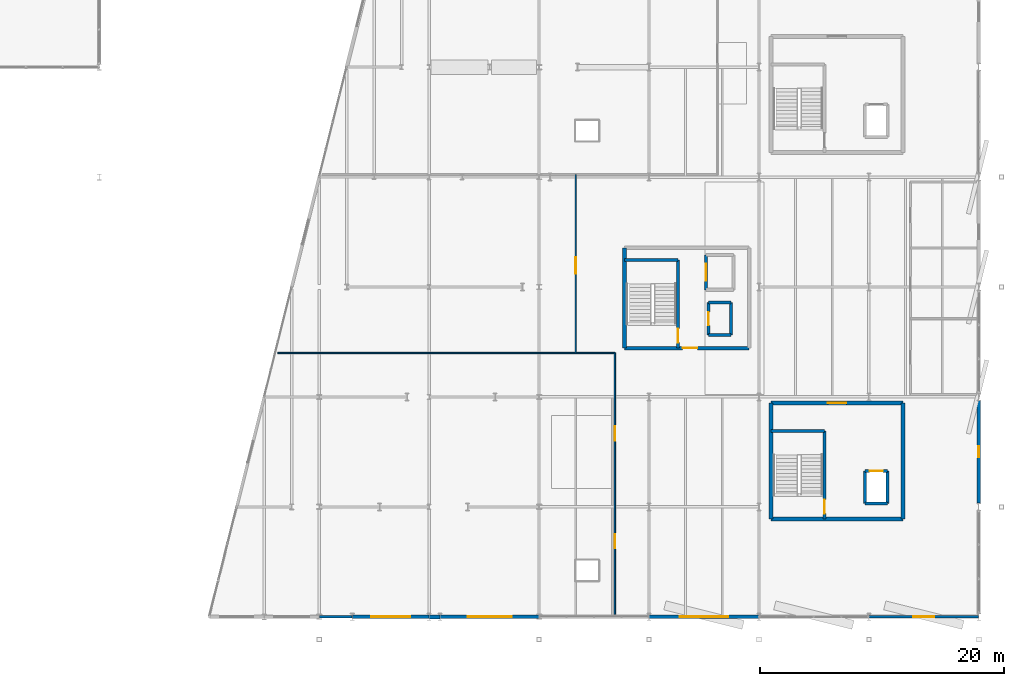
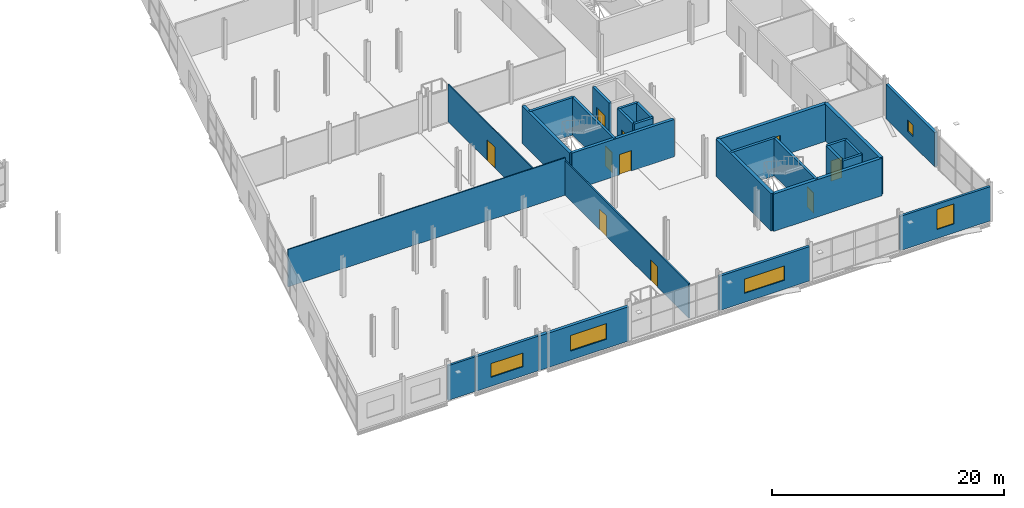
# One storey, part 115 of 132: 29 walls, 10 doors, 5 windows, 15 openings.
"""IFC4 building model written with IfcOpenShell, lengths in metres."""

from ifc_helpers import new_model, si_unit, direction, frame, frame_2d, origin, place, context, subcontext, project, spatial, rectangle, extrude, material, layer, layer_set, type_object, element, fill, save


model = new_model("IFC4")

# Units and contexts
model_context = context("Model", 3, precision=1e-05, world=origin(), true_north=direction((0.0, 1.0)))
body_context = subcontext(model_context, "Body", "Model", "MODEL_VIEW")
ifc_project = project(units=[si_unit("LENGTHUNIT", "METRE"), si_unit("AREAUNIT", "SQUARE_METRE"), si_unit("VOLUMEUNIT", "CUBIC_METRE"), si_unit("PLANEANGLEUNIT", "RADIAN"), si_unit("MASSUNIT", "GRAM", prefix="KILO")], contexts=[model_context])

# Site, building, storey
site_placement = place(None, origin())
site = spatial("IfcSite", under=ifc_project, at=site_placement, CompositionType="ELEMENT")
building_placement = place(site_placement, origin())
building = spatial("IfcBuilding", under=site, at=building_placement, Name="Deido Ridge Mobility Hub", CompositionType="ELEMENT")
storey_placement = place(building_placement, frame((0.0, 0.0, 8.39990234375)))
storey = spatial("IfcBuildingStorey", under=building, at=storey_placement, Name="L02", CompositionType="ELEMENT", Elevation=8.39990234375)

# Wall
ifc_material_1 = material(Name="Powder-coated aluminium cladding EN AW-3003", Category="aluminium")
ifc_layer_1 = layer(ifc_material_1, 0.22509765625, Name="Powder-coated aluminium cladding EN AW-3003")
ifc_layer_set_1 = layer_set([ifc_layer_1], Name="Powder-coated aluminium cladding EN AW-3003")
wall_type_1 = type_object("IfcWallType", Name="WL-EXT-ALU-225", PredefinedType="STANDARD", material=ifc_layer_set_1)
wall_1_placement = place(storey_placement, frame((126.0087890625, 0.0, 0.0), z_axis=(0.0, 0.0, 1.0), x_axis=(1.0, 0.0, 0.0)))
element("IfcWall", 1, at=wall_1_placement, inside=storey, type_object=wall_type_1, Name="Exterior wall EW6", PredefinedType="STANDARD", context=body_context, shape_type="SweptSolid", body=[
    extrude(rectangle(XDim=2.68359375, YDim=0.22509765625, at=frame_2d((1.341796875, 0.0))), origin(), (0.0, 0.0, 1.0), 3.64013671875),
])

# Wall, opening, window
wall_2_placement = place(storey_placement, frame((171.0078125, 0.0, 0.0), z_axis=(0.0, 0.0, 1.0), x_axis=(1.0, 0.0, 0.0)))
wall_2 = element("IfcWall", 2, at=wall_2_placement, inside=storey, type_object=wall_type_1, Name="Exterior wall EW6", PredefinedType="STANDARD", context=body_context, shape_type="SweptSolid", body=[
    extrude(rectangle(XDim=8.984375, YDim=0.22509765625, at=frame_2d((4.4921875, 0.0))), origin(), (0.0, 0.0, 1.0), 3.610107421875),
])
opening_1_placement = place(wall_2_placement, frame((3.642333984375, 0.0, 0.949951171875)))
opening_1 = element("IfcOpeningElement", 3, at=opening_1_placement, cuts=wall_2, Name="Opening W22", PredefinedType="OPENING", context=body_context, shape_type="SweptSolid", body=[
    extrude(rectangle(XDim=1.699951171875, YDim=2.10009765625, at=frame_2d((0.85009765625, 1.050048828125))), frame((0.0, 0.12255859375, 0.0), z_axis=(0.0, -1.0, 0.0), x_axis=(1.0, 0.0, 0.0)), (0.0, 0.0, 1.0), 0.2451171875),
])
ifc_material_2 = material(Name="Laminated solar-control low-E glass", Category="glass")
window_type_1 = type_object("IfcWindowType", Name="WN-ALU-1700X2100", PartitioningType="SINGLE_PANEL", PredefinedType="WINDOW", material=ifc_material_2)
window_1_placement = place(opening_1_placement, origin())
window_1 = element("IfcWindow", 4, at=window_1_placement, inside=storey, type_object=window_type_1, Name="Exterior window W22", OverallHeight=2.10009765625, OverallWidth=1.699951171875, PartitioningType="SINGLE_PANEL", PredefinedType="WINDOW", context=body_context, shape_type="SweptSolid", body=[
    extrude(rectangle(XDim=1.699951171875, YDim=2.10009765625, at=frame_2d((0.85009765625, 1.050048828125))), frame((0.0, 0.030029296875, 0.0), z_axis=(0.0, -1.0, 0.0), x_axis=(1.0, 0.0, 0.0)), (0.0, 0.0, 1.0), 0.06005859375),
])
fill(opening_1, window_1)

ifc_material_3 = material(Name="Concrete blockwork masonry", Category="masonry")
ifc_layer_2 = layer(ifc_material_3, 0.264892578125, Name="Concrete blockwork masonry")
ifc_layer_set_2 = layer_set([ifc_layer_2], Name="Concrete blockwork masonry")
wall_type_2 = type_object("IfcWallType", Name="WL-EXT-BLK-265", PredefinedType="STANDARD", material=ifc_layer_set_2)
wall_3_placement = place(storey_placement, frame((153.0078125, 0.0, 0.0), z_axis=(0.0, 0.0, 1.0), x_axis=(1.0, 0.0, 0.0)))
wall_3 = element("IfcWall", 5, at=wall_3_placement, inside=storey, type_object=wall_type_2, Name="Exterior wall EW3", PredefinedType="STANDARD", context=body_context, shape_type="SweptSolid", body=[
    extrude(rectangle(XDim=8.984375, YDim=0.264892578125, at=frame_2d((4.4921875, 0.0))), origin(), (0.0, 0.0, 1.0), 3.610107421875),
])
opening_2_placement = place(wall_3_placement, frame((2.4921875, 0.0, 0.949951171875)))
opening_2 = element("IfcOpeningElement", 6, at=opening_2_placement, cuts=wall_3, Name="Opening W20", PredefinedType="OPENING", context=body_context, shape_type="SweptSolid", body=[
    extrude(rectangle(XDim=4.0, YDim=1.5, at=frame_2d((2.0, 0.75))), frame((0.0, 0.142578125, 0.0), z_axis=(0.0, -1.0, 0.0), x_axis=(1.0, 0.0, 0.0)), (0.0, 0.0, 1.0), 0.284912109375),
])
window_type_2 = type_object("IfcWindowType", Name="WN-ALU-4000X1500", PartitioningType="DOUBLE_PANEL_VERTICAL", PredefinedType="WINDOW", material=ifc_material_2)
window_2_placement = place(opening_2_placement, origin())
window_2 = element("IfcWindow", 7, at=window_2_placement, inside=storey, type_object=window_type_2, Name="Exterior window W20", OverallHeight=1.5, OverallWidth=4.0, PartitioningType="SINGLE_PANEL", PredefinedType="WINDOW", context=body_context, shape_type="SweptSolid", body=[
    extrude(rectangle(XDim=4.0, YDim=1.5, at=frame_2d((2.0, 0.75))), frame((0.0, 0.030029296875, 0.0), z_axis=(0.0, -1.0, 0.0), x_axis=(1.0, 0.0, 0.0)), (0.0, 0.0, 1.0), 0.06005859375),
])
fill(opening_2, window_2)

ifc_material_4 = material(Name="Fired clay brick masonry", Category="masonry")
ifc_layer_3 = layer(ifc_material_4, 0.31005859375, Name="Fired clay brick masonry")
ifc_layer_set_3 = layer_set([ifc_layer_3], Name="Fired clay brick masonry")
wall_type_3 = type_object("IfcWallType", Name="WL-EXT-BRK-310", PredefinedType="STANDARD", material=ifc_layer_set_3)
wall_4_placement = place(storey_placement, frame((135.90771484375, 0.0, 0.0), z_axis=(0.0, 0.0, 1.0), x_axis=(1.0, 0.0, 0.0)))
wall_4 = element("IfcWall", 8, at=wall_4_placement, inside=storey, type_object=wall_type_3, Name="Exterior wall EW1", PredefinedType="STANDARD", context=body_context, shape_type="SweptSolid", body=[
    extrude(rectangle(XDim=8.08349609375, YDim=0.31005859375, at=frame_2d((4.041748046875, 0.0))), origin(), (0.0, 0.0, 1.0), 3.610107421875),
])
opening_3_placement = place(wall_4_placement, frame((2.24169921875, 0.0, 0.949951171875)))
opening_3 = element("IfcOpeningElement", 9, at=opening_3_placement, cuts=wall_4, Name="Opening W18", PredefinedType="OPENING", context=body_context, shape_type="SweptSolid", body=[
    extrude(rectangle(XDim=3.60009765625, YDim=1.64990234375, at=frame_2d((1.800048828125, 0.824951171875))), frame((0.0, 0.1650390625, 0.0), z_axis=(0.0, -1.0, 0.0), x_axis=(1.0, 0.0, 0.0)), (0.0, 0.0, 1.0), 0.330078125),
])
window_type_3 = type_object("IfcWindowType", Name="WN-ALU-3600X1650", PartitioningType="DOUBLE_PANEL_VERTICAL", PredefinedType="WINDOW", material=ifc_material_2)
window_3_placement = place(opening_3_placement, origin())
window_3 = element("IfcWindow", 10, at=window_3_placement, inside=storey, type_object=window_type_3, Name="Exterior window W18", OverallHeight=1.64990234375, OverallWidth=3.60009765625, PartitioningType="SINGLE_PANEL", PredefinedType="WINDOW", context=body_context, shape_type="SweptSolid", body=[
    extrude(rectangle(XDim=3.60009765625, YDim=1.64990234375, at=frame_2d((1.800048828125, 0.824951171875))), frame((0.0, 0.030029296875, 0.0), z_axis=(0.0, -1.0, 0.0), x_axis=(1.0, 0.0, 0.0)), (0.0, 0.0, 1.0), 0.06005859375),
])
fill(opening_3, window_3)

# Wall
ifc_material_5 = material(Name="Concrete C35/45", Category="concrete")
ifc_layer_4 = layer(ifc_material_5, 0.340087890625, Name="Concrete C35/45")
ifc_layer_set_4 = layer_set([ifc_layer_4], Name="Concrete C35/45")
wall_type_4 = type_object("IfcWallType", Name="WL-EXT-RC-340", PredefinedType="STANDARD", material=ifc_layer_set_4)
wall_5_placement = place(storey_placement, frame((135.0078125, 0.0, 0.0), z_axis=(0.0, 0.0, 1.0), x_axis=(1.0, 0.0, 0.0)))
element("IfcWall", 11, at=wall_5_placement, inside=storey, type_object=wall_type_4, Name="Exterior wall EW5", PredefinedType="STANDARD", context=body_context, shape_type="SweptSolid", body=[
    extrude(rectangle(XDim=0.884521484375, YDim=0.340087890625, at=frame_2d((0.4423828125, 0.0))), origin(), (0.0, 0.0, 1.0), 3.64013671875),
])

# Wall, opening, window
ifc_layer_5 = layer(ifc_material_4, 0.27490234375, Name="Fired clay brick masonry")
ifc_layer_set_5 = layer_set([ifc_layer_5], Name="Fired clay brick masonry")
wall_type_5 = type_object("IfcWallType", Name="WL-PLG-BRK-275", PredefinedType="POLYGONAL", material=ifc_layer_set_5)
wall_6_placement = place(storey_placement, frame((128.707763671875, 0.0, 0.0), z_axis=(0.0, 0.0, 1.0), x_axis=(1.0, 0.0, 0.0)))
wall_6 = element("IfcWall", 12, at=wall_6_placement, inside=storey, type_object=wall_type_5, Name="Exterior wall PGW1", PredefinedType="POLYGONAL", context=body_context, shape_type="SweptSolid", body=[
    extrude(rectangle(XDim=6.284423828125, YDim=0.27490234375, at=frame_2d((3.14208984375, 0.0))), origin(), (0.0, 0.0, 1.0), 3.64013671875),
])
opening_4_placement = place(wall_6_placement, frame((1.542236328125, 0.0, 0.949951171875)))
opening_4 = element("IfcOpeningElement", 13, at=opening_4_placement, cuts=wall_6, Name="Opening W16", PredefinedType="OPENING", context=body_context, shape_type="SweptSolid", body=[
    extrude(rectangle(XDim=3.199951171875, YDim=1.449951171875, at=frame_2d((1.60009765625, 0.72509765625))), frame((0.0, 0.1474609375, 0.0), z_axis=(0.0, -1.0, 0.0), x_axis=(1.0, 0.0, 0.0)), (0.0, 0.0, 1.0), 0.294921875),
])
window_type_4 = type_object("IfcWindowType", Name="WN-ALU-3200X1450", PartitioningType="DOUBLE_PANEL_VERTICAL", PredefinedType="WINDOW", material=ifc_material_2)
window_4_placement = place(opening_4_placement, origin())
window_4 = element("IfcWindow", 14, at=window_4_placement, inside=storey, type_object=window_type_4, Name="Exterior window W16", OverallHeight=1.449951171875, OverallWidth=3.199951171875, PartitioningType="SINGLE_PANEL", PredefinedType="WINDOW", context=body_context, shape_type="SweptSolid", body=[
    extrude(rectangle(XDim=3.199951171875, YDim=1.449951171875, at=frame_2d((1.60009765625, 0.72509765625))), frame((0.0, 0.030029296875, 0.0), z_axis=(0.0, -1.0, 0.0), x_axis=(1.0, 0.0, 0.0)), (0.0, 0.0, 1.0), 0.06005859375),
])
fill(opening_4, window_4)

wall_7_placement = place(storey_placement, frame((180.0, 9.300048828125, 0.0), z_axis=(0.0, 0.0, 1.0), x_axis=(0.0, 1.0, 0.0)))
wall_7 = element("IfcWall", 15, at=wall_7_placement, inside=storey, type_object=wall_type_5, Name="Exterior wall PGW1", PredefinedType="POLYGONAL", context=body_context, shape_type="SweptSolid", body=[
    extrude(rectangle(XDim=8.39990234375, YDim=0.27490234375, at=frame_2d((4.199951171875, 0.0))), origin(), (0.0, 0.0, 1.0), 3.610107421875),
])
opening_5_placement = place(wall_7_placement, frame((3.75, 0.0, 0.949951171875)))
opening_5 = element("IfcOpeningElement", 16, at=opening_5_placement, cuts=wall_7, Name="Opening W1", PredefinedType="OPENING", context=body_context, shape_type="SweptSolid", body=[
    extrude(rectangle(XDim=0.89990234375, YDim=1.199951171875, at=frame_2d((0.449951171875, 0.60009765625))), frame((0.0, 0.1474609375, 0.0), z_axis=(0.0, -1.0, 0.0), x_axis=(1.0, 0.0, 0.0)), (0.0, 0.0, 1.0), 0.294921875),
])
window_type_5 = type_object("IfcWindowType", Name="WN-ALU-900X1200", PartitioningType="SINGLE_PANEL", PredefinedType="WINDOW", material=ifc_material_2)
window_5_placement = place(opening_5_placement, origin())
window_5 = element("IfcWindow", 17, at=window_5_placement, inside=storey, type_object=window_type_5, Name="Exterior window W1", OverallHeight=1.199951171875, OverallWidth=0.89990234375, PartitioningType="SINGLE_PANEL", PredefinedType="WINDOW", context=body_context, shape_type="SweptSolid", body=[
    extrude(rectangle(XDim=0.89990234375, YDim=1.199951171875, at=frame_2d((0.449951171875, 0.60009765625))), frame((0.0, 0.030029296875, 0.0), z_axis=(0.0, -1.0, 0.0), x_axis=(1.0, 0.0, 0.0)), (0.0, 0.0, 1.0), 0.06005859375),
])
fill(opening_5, window_5)

# Wall
ifc_layer_6 = layer(ifc_material_3, 0.10009765625, Name="Concrete blockwork masonry")
ifc_layer_set_6 = layer_set([ifc_layer_6], Name="Concrete blockwork masonry")
wall_type_6 = type_object("IfcWallType", Name="WL-PRT-BLK-100", PredefinedType="PARTITIONING", material=ifc_layer_set_6)
wall_8_placement = place(storey_placement, frame((122.60009765625, 21.60009765625, 0.0), z_axis=(0.0, 0.0, 1.0), x_axis=(1.0, 0.0, 0.0)))
element("IfcWall", 18, at=wall_8_placement, inside=storey, type_object=wall_type_6, Name="V6 south-central cross wall (L02)", PredefinedType="PARTITIONING", context=body_context, shape_type="SweptSolid", body=[
    extrude(rectangle(XDim=27.599853515625, YDim=0.10009765625, at=frame_2d((13.7998046875, 0.0))), origin(), (0.0, 0.0, 1.0), 3.93505859375),
])

# Wall, opening, door
ifc_layer_7 = layer(ifc_material_3, 0.110107421875, Name="Concrete blockwork masonry")
ifc_layer_set_7 = layer_set([ifc_layer_7], Name="Concrete blockwork masonry")
wall_type_7 = type_object("IfcWallType", Name="WL-PRT-BLK-110", PredefinedType="PARTITIONING", material=ifc_layer_set_7)
wall_9_placement = place(storey_placement, frame((147.0, 21.60009765625, 0.0), z_axis=(0.0, 0.0, 1.0), x_axis=(0.0, 1.0, 0.0)))
wall_9 = element("IfcWall", 19, at=wall_9_placement, inside=storey, type_object=wall_type_7, Name="V6 central room wall (L02)", PredefinedType="PARTITIONING", context=body_context, shape_type="SweptSolid", body=[
    extrude(rectangle(XDim=14.599853515625, YDim=0.110107421875, at=frame_2d((7.2998046875, 0.0))), origin(), (0.0, 0.0, 1.0), 3.93505859375),
])
opening_6_placement = place(wall_9_placement, frame((6.5, 0.0, 0.0)))
opening_6 = element("IfcOpeningElement", 20, at=opening_6_placement, cuts=wall_9, Name="Opening DR-L02-162", PredefinedType="OPENING", context=body_context, shape_type="SweptSolid", body=[
    extrude(rectangle(XDim=1.320068359375, YDim=2.199951171875, at=frame_2d((0.66015625, 1.10009765625))), frame((0.0, 0.06494140625, 0.0), z_axis=(0.0, -1.0, 0.0), x_axis=(1.0, 0.0, 0.0)), (0.0, 0.0, 1.0), 0.130126953125),
])
ifc_material_6 = material(Name="Treated tropical hardwood timber D40", Category="wood")
door_type_1 = type_object("IfcDoorType", Name="DR-INT-1320X2200", OperationType="NOTDEFINED", PredefinedType="DOOR", material=ifc_material_6)
door_1_placement = place(opening_6_placement, origin())
door_1 = element("IfcDoor", 21, at=door_1_placement, inside=storey, type_object=door_type_1, Name="DR-I0162 V6 central room door (L02)", OperationType="SINGLE_SWING_RIGHT", OverallHeight=2.199951171875, OverallWidth=1.320068359375, PredefinedType="DOOR", context=body_context, shape_type="SweptSolid", body=[
    extrude(rectangle(XDim=1.320068359375, YDim=2.199951171875, at=frame_2d((0.66015625, 1.10009765625))), frame((0.0, 0.02490234375, 0.0), z_axis=(0.0, -1.0, 0.0), x_axis=(1.0, 0.0, 0.0)), (0.0, 0.0, 1.0), 0.050048828125),
])
fill(opening_6, door_1)

# Wall, openings, doors
ifc_layer_8 = layer(ifc_material_3, 0.1298828125, Name="Concrete blockwork masonry")
ifc_layer_set_8 = layer_set([ifc_layer_8], Name="Concrete blockwork masonry")
wall_type_8 = type_object("IfcWallType", Name="WL-PRT-BLK-130", PredefinedType="PARTITIONING", material=ifc_layer_set_8)
wall_10_placement = place(storey_placement, frame((150.199951171875, 0.199951171875, 0.0), z_axis=(0.0, 0.0, 1.0), x_axis=(0.0, 1.0, 0.0)))
wall_10 = element("IfcWall", 22, at=wall_10_placement, inside=storey, type_object=wall_type_8, Name="V6 south-west suite wall (L02)", PredefinedType="PARTITIONING", context=body_context, shape_type="SweptSolid", body=[
    extrude(rectangle(XDim=21.400146484375, YDim=0.1298828125, at=frame_2d((10.7001953125, 0.0))), origin(), (0.0, 0.0, 1.0), 3.64013671875),
])
opening_7_placement = place(wall_10_placement, frame((5.39990234375, 0.0, 0.0)))
opening_7 = element("IfcOpeningElement", 23, at=opening_7_placement, cuts=wall_10, Name="Opening DR-L02-160", PredefinedType="OPENING", context=body_context, shape_type="SweptSolid", body=[
    extrude(rectangle(XDim=1.179931640625, YDim=2.14990234375, at=frame_2d((0.58984375, 1.074951171875))), frame((0.0, 0.074951171875, 0.0), z_axis=(0.0, -1.0, 0.0), x_axis=(1.0, 0.0, 0.0)), (0.0, 0.0, 1.0), 0.14990234375),
])
opening_8_placement = place(wall_10_placement, frame((14.199951171875, 0.0, 0.0)))
opening_8 = element("IfcOpeningElement", 24, at=opening_8_placement, cuts=wall_10, Name="Opening DR-L02-161", PredefinedType="OPENING", context=body_context, shape_type="SweptSolid", body=[
    extrude(rectangle(XDim=1.219970703125, YDim=2.179931640625, at=frame_2d((0.60986328125, 1.08984375))), frame((0.0, 0.074951171875, 0.0), z_axis=(0.0, -1.0, 0.0), x_axis=(1.0, 0.0, 0.0)), (0.0, 0.0, 1.0), 0.14990234375),
])
door_type_2 = type_object("IfcDoorType", Name="DR-INT-1180X2150", OperationType="NOTDEFINED", PredefinedType="DOOR", material=ifc_material_6)
door_2_placement = place(opening_7_placement, origin())
door_2 = element("IfcDoor", 25, at=door_2_placement, inside=storey, type_object=door_type_2, Name="DR-I0160 V6 south-west suite door 1 (L02)", OperationType="SINGLE_SWING_RIGHT", OverallHeight=2.14990234375, OverallWidth=1.179931640625, PredefinedType="DOOR", context=body_context, shape_type="SweptSolid", body=[
    extrude(rectangle(XDim=1.179931640625, YDim=2.14990234375, at=frame_2d((0.58984375, 1.074951171875))), frame((0.0, 0.02490234375, 0.0), z_axis=(0.0, -1.0, 0.0), x_axis=(1.0, 0.0, 0.0)), (0.0, 0.0, 1.0), 0.050048828125),
])
fill(opening_7, door_2)
door_type_3 = type_object("IfcDoorType", Name="DR-INT-1220X2180", OperationType="NOTDEFINED", PredefinedType="DOOR", material=ifc_material_6)
door_3_placement = place(opening_8_placement, origin())
door_3 = element("IfcDoor", 26, at=door_3_placement, inside=storey, type_object=door_type_3, Name="DR-I0161 V6 south-west suite door 2 (L02)", OperationType="SINGLE_SWING_LEFT", OverallHeight=2.179931640625, OverallWidth=1.219970703125, PredefinedType="DOOR", context=body_context, shape_type="SweptSolid", body=[
    extrude(rectangle(XDim=1.219970703125, YDim=2.179931640625, at=frame_2d((0.60986328125, 1.08984375))), frame((0.0, 0.02490234375, 0.0), z_axis=(0.0, -1.0, 0.0), x_axis=(1.0, 0.0, 0.0)), (0.0, 0.0, 1.0), 0.050048828125),
])
fill(opening_8, door_3)

# Wall, opening, door
ifc_material_7 = material(Name="Concrete C40/50", Category="concrete")
ifc_layer_9 = layer(ifc_material_7, 0.25, Name="Concrete C40/50")
ifc_layer_set_9 = layer_set([ifc_layer_9], Name="Concrete C40/50")
wall_type_9 = type_object("IfcWallType", Name="WL-SHR-RC-250", PredefinedType="SHEAR", material=ifc_layer_set_9)
wall_11_placement = place(storey_placement, frame((167.360107421875, 8.0, 0.0), z_axis=(0.0, 0.0, 1.0), x_axis=(0.0, 1.0, 0.0)))
wall_11 = element("IfcWall", 27, at=wall_11_placement, inside=storey, type_object=wall_type_9, Name="C1 stair shaft east wall", PredefinedType="SHEAR", context=body_context, shape_type="SweptSolid", body=[
    extrude(rectangle(XDim=7.199951171875, YDim=0.25, at=frame_2d((3.60009765625, 0.0))), origin(), (0.0, 0.0, 1.0), 3.93505859375),
])
opening_9_placement = place(wall_11_placement, frame((0.449951171875, 0.0, 0.0)))
opening_9 = element("IfcOpeningElement", 28, at=opening_9_placement, cuts=wall_11, Name="Opening FD-C1-L02", PredefinedType="OPENING", context=body_context, shape_type="SweptSolid", body=[
    extrude(rectangle(XDim=1.14990234375, YDim=2.14990234375, at=frame_2d((0.574951171875, 1.074951171875))), frame((0.0, 0.135009765625, 0.0), z_axis=(0.0, -1.0, 0.0), x_axis=(1.0, 0.0, 0.0)), (0.0, 0.0, 1.0), 0.27001953125),
])
ifc_material_8 = material(Name="Galvanised steel work", Category="steel")
door_type_4 = type_object("IfcDoorType", Name="DR-FD60-1150X2150", OperationType="NOTDEFINED", PredefinedType="DOOR", material=ifc_material_8)
door_4_placement = place(opening_9_placement, origin())
door_4 = element("IfcDoor", 29, at=door_4_placement, inside=storey, type_object=door_type_4, Name="DR-I0010 C1 protected stair door (L02)", OperationType="SINGLE_SWING_RIGHT", OverallHeight=2.14990234375, OverallWidth=1.14990234375, PredefinedType="DOOR", context=body_context, shape_type="SweptSolid", body=[
    extrude(rectangle(XDim=1.14990234375, YDim=2.14990234375, at=frame_2d((0.574951171875, 1.074951171875))), frame((0.0, 0.02490234375, 0.0), z_axis=(0.0, -1.0, 0.0), x_axis=(1.0, 0.0, 0.0)), (0.0, 0.0, 1.0), 0.050048828125),
])
fill(opening_9, door_4)

# Walls
wall_12_placement = place(storey_placement, frame((163.0, 15.199951171875, 0.0), z_axis=(0.0, 0.0, 1.0), x_axis=(1.0, 0.0, 0.0)))
element("IfcWall", 30, at=wall_12_placement, inside=storey, type_object=wall_type_9, Name="C1 stair shaft north wall", PredefinedType="SHEAR", context=body_context, shape_type="SweptSolid", body=[
    extrude(rectangle(XDim=4.360107421875, YDim=0.25, at=frame_2d((2.18017578125, 0.0))), origin(), (0.0, 0.0, 1.0), 3.93505859375),
])
wall_13_placement = place(storey_placement, frame((170.675048828125, 9.27490234375, 0.0), z_axis=(0.0, 0.0, 1.0), x_axis=(1.0, 0.0, 0.0)))
element("IfcWall", 31, at=wall_13_placement, inside=storey, type_object=wall_type_9, Name="Lift FL1 rear shaft wall", PredefinedType="SHEAR", context=body_context, shape_type="SweptSolid", body=[
    extrude(rectangle(XDim=1.849853515625, YDim=0.25, at=frame_2d((0.9248046875, 0.0))), origin(), (0.0, 0.0, 1.0), 3.93505859375),
])
for number, where, z_axis, x_axis, name in (
    (32, (170.675048828125, 9.27490234375, 0.0), (0.0, 0.0, 1.0), (0.0, 1.0, 0.0), "Lift FL1 west shaft wall"),
    (33, (172.52490234375, 9.27490234375, 0.0), (0.0, 0.0, 1.0), (0.0, 1.0, 0.0), "Lift FL1 east shaft wall"),
):
    element("IfcWall", number, at=place(storey_placement, frame(where, z_axis=z_axis, x_axis=x_axis)), inside=storey, type_object=wall_type_9, Name=name, PredefinedType="SHEAR", context=body_context, shape_type="SweptSolid", body=[
        extrude(rectangle(XDim=2.650146484375, YDim=0.25, at=frame_2d((1.3251953125, 0.0))), origin(), (0.0, 0.0, 1.0), 3.93505859375),
    ])

# Wall, opening, door
wall_14_placement = place(storey_placement, frame((170.675048828125, 11.925048828125, 0.0), z_axis=(0.0, 0.0, 1.0), x_axis=(1.0, 0.0, 0.0)))
wall_14 = element("IfcWall", 34, at=wall_14_placement, inside=storey, type_object=wall_type_9, Name="Lift FL1 landing wall", PredefinedType="SHEAR", context=body_context, shape_type="SweptSolid", body=[
    extrude(rectangle(XDim=1.849853515625, YDim=0.25, at=frame_2d((0.9248046875, 0.0))), origin(), (0.0, 0.0, 1.0), 3.93505859375),
])
opening_10_placement = place(wall_14_placement, frame((0.375, 0.0, 0.0)))
opening_10 = element("IfcOpeningElement", 35, at=opening_10_placement, cuts=wall_14, Name="Opening LD-FL1", PredefinedType="OPENING", context=body_context, shape_type="SweptSolid", body=[
    extrude(rectangle(XDim=1.10009765625, YDim=2.14990234375, at=frame_2d((0.550048828125, 1.074951171875))), frame((0.0, 0.135009765625, 0.0), z_axis=(0.0, -1.0, 0.0), x_axis=(1.0, 0.0, 0.0)), (0.0, 0.0, 1.0), 0.27001953125),
])
ifc_material_9 = material(Name="Stainless steel 316", Category="steel")
door_type_5 = type_object("IfcDoorType", Name="DR-LND-PAS-1100X2150", OperationType="DOUBLE_DOOR_SLIDING", PredefinedType="USERDEFINED", material=ifc_material_9)
door_5_placement = place(opening_10_placement, origin())
door_5 = element("IfcDoor", 36, at=door_5_placement, inside=storey, type_object=door_type_5, Name="DR-I0012 Lift FL1 sliding landing door (L02)", ObjectType="LANDING DOOR", OperationType="DOUBLE_DOOR_SLIDING", OverallHeight=2.14990234375, OverallWidth=1.10009765625, PredefinedType="USERDEFINED", context=body_context, shape_type="SweptSolid", body=[
    extrude(rectangle(XDim=1.10009765625, YDim=2.14990234375, at=frame_2d((0.550048828125, 1.074951171875))), frame((0.0, 0.02490234375, 0.0), z_axis=(0.0, -1.0, 0.0), x_axis=(1.0, 0.0, 0.0)), (0.0, 0.0, 1.0), 0.050048828125),
])
fill(opening_10, door_5)

wall_15_placement = place(storey_placement, frame((155.360107421875, 22.0, 0.0), z_axis=(0.0, 0.0, 1.0), x_axis=(0.0, 1.0, 0.0)))
wall_15 = element("IfcWall", 37, at=wall_15_placement, inside=storey, type_object=wall_type_9, Name="C3 stair shaft east wall", PredefinedType="SHEAR", context=body_context, shape_type="SweptSolid", body=[
    extrude(rectangle(XDim=7.199951171875, YDim=0.25, at=frame_2d((3.60009765625, 0.0))), origin(), (0.0, 0.0, 1.0), 3.93505859375),
])
opening_11_placement = place(wall_15_placement, frame((0.449951171875, 0.0, 0.0)))
opening_11 = element("IfcOpeningElement", 38, at=opening_11_placement, cuts=wall_15, Name="Opening FD-C3-L02", PredefinedType="OPENING", context=body_context, shape_type="SweptSolid", body=[
    extrude(rectangle(XDim=1.14990234375, YDim=2.14990234375, at=frame_2d((0.574951171875, 1.074951171875))), frame((0.0, 0.135009765625, 0.0), z_axis=(0.0, -1.0, 0.0), x_axis=(1.0, 0.0, 0.0)), (0.0, 0.0, 1.0), 0.27001953125),
])
door_6_placement = place(opening_11_placement, origin())
door_6 = element("IfcDoor", 39, at=door_6_placement, inside=storey, type_object=door_type_4, Name="DR-I0061 C3 protected stair door (L02)", OperationType="SINGLE_SWING_LEFT", OverallHeight=2.14990234375, OverallWidth=1.14990234375, PredefinedType="DOOR", context=body_context, shape_type="SweptSolid", body=[
    extrude(rectangle(XDim=1.14990234375, YDim=2.14990234375, at=frame_2d((0.574951171875, 1.074951171875))), frame((0.0, 0.02490234375, 0.0), z_axis=(0.0, -1.0, 0.0), x_axis=(1.0, 0.0, 0.0)), (0.0, 0.0, 1.0), 0.050048828125),
])
fill(opening_11, door_6)

# Walls
wall_16_placement = place(storey_placement, frame((151.0, 29.199951171875, 0.0), z_axis=(0.0, 0.0, 1.0), x_axis=(1.0, 0.0, 0.0)))
element("IfcWall", 40, at=wall_16_placement, inside=storey, type_object=wall_type_9, Name="C3 stair shaft north wall", PredefinedType="SHEAR", context=body_context, shape_type="SweptSolid", body=[
    extrude(rectangle(XDim=4.360107421875, YDim=0.25, at=frame_2d((2.18017578125, 0.0))), origin(), (0.0, 0.0, 1.0), 3.93505859375),
])
for number, where, z_axis, x_axis, name in (
    (41, (157.875, 23.074951171875, 0.0), (0.0, 0.0, 1.0), (1.0, 0.0, 0.0), "Lift PL1 south shaft wall"),
    (42, (157.875, 25.72509765625, 0.0), (0.0, 0.0, 1.0), (1.0, 0.0, 0.0), "Lift PL1 north shaft wall"),
):
    element("IfcWall", number, at=place(storey_placement, frame(where, z_axis=z_axis, x_axis=x_axis)), inside=storey, type_object=wall_type_9, Name=name, PredefinedType="SHEAR", context=body_context, shape_type="SweptSolid", body=[
        extrude(rectangle(XDim=1.85009765625, YDim=0.25, at=frame_2d((0.925048828125, 0.0))), origin(), (0.0, 0.0, 1.0), 3.93505859375),
    ])
wall_17_placement = place(storey_placement, frame((159.72509765625, 23.074951171875, 0.0), z_axis=(0.0, 0.0, 1.0), x_axis=(0.0, 1.0, 0.0)))
element("IfcWall", 43, at=wall_17_placement, inside=storey, type_object=wall_type_9, Name="Lift PL1 rear shaft wall", PredefinedType="SHEAR", context=body_context, shape_type="SweptSolid", body=[
    extrude(rectangle(XDim=2.650146484375, YDim=0.25, at=frame_2d((1.3251953125, 0.0))), origin(), (0.0, 0.0, 1.0), 3.93505859375),
])

# Wall, opening, door
wall_18_placement = place(storey_placement, frame((157.875, 23.074951171875, 0.0), z_axis=(0.0, 0.0, 1.0), x_axis=(0.0, 1.0, 0.0)))
wall_18 = element("IfcWall", 44, at=wall_18_placement, inside=storey, type_object=wall_type_9, Name="Lift PL1 landing wall", PredefinedType="SHEAR", context=body_context, shape_type="SweptSolid", body=[
    extrude(rectangle(XDim=2.650146484375, YDim=0.25, at=frame_2d((1.3251953125, 0.0))), origin(), (0.0, 0.0, 1.0), 3.93505859375),
])
opening_12_placement = place(wall_18_placement, frame((0.77490234375, 0.0, 0.0)))
opening_12 = element("IfcOpeningElement", 45, at=opening_12_placement, cuts=wall_18, Name="Opening LD-PL1", PredefinedType="OPENING", context=body_context, shape_type="SweptSolid", body=[
    extrude(rectangle(XDim=1.10009765625, YDim=2.14990234375, at=frame_2d((0.550048828125, 1.074951171875))), frame((0.0, 0.135009765625, 0.0), z_axis=(0.0, -1.0, 0.0), x_axis=(1.0, 0.0, 0.0)), (0.0, 0.0, 1.0), 0.27001953125),
])
door_7_placement = place(opening_12_placement, origin())
door_7 = element("IfcDoor", 46, at=door_7_placement, inside=storey, type_object=door_type_5, Name="DR-I0063 Lift PL1 sliding landing door (L02)", ObjectType="LANDING DOOR", OperationType="DOUBLE_DOOR_SLIDING", OverallHeight=2.14990234375, OverallWidth=1.10009765625, PredefinedType="USERDEFINED", context=body_context, shape_type="SweptSolid", body=[
    extrude(rectangle(XDim=1.10009765625, YDim=2.14990234375, at=frame_2d((0.550048828125, 1.074951171875))), frame((0.0, 0.02490234375, 0.0), z_axis=(0.0, -1.0, 0.0), x_axis=(1.0, 0.0, 0.0)), (0.0, 0.0, 1.0), 0.050048828125),
])
fill(opening_12, door_7)

wall_19_placement = place(storey_placement, frame((157.675048828125, 26.77490234375, 0.0), z_axis=(0.0, 0.0, 1.0), x_axis=(0.0, 1.0, 0.0)))
wall_19 = element("IfcWall", 47, at=wall_19_placement, inside=storey, type_object=wall_type_9, Name="Lift GL1 landing wall", PredefinedType="SHEAR", context=body_context, shape_type="SweptSolid", body=[
    extrude(rectangle(XDim=2.85009765625, YDim=0.25, at=frame_2d((1.425048828125, 0.0))), origin(), (0.0, 0.0, 1.0), 3.93505859375),
])
opening_13_placement = place(wall_19_placement, frame((0.72509765625, 0.0, 0.0)))
opening_13 = element("IfcOpeningElement", 48, at=opening_13_placement, cuts=wall_19, Name="Opening LD-GL1", PredefinedType="OPENING", context=body_context, shape_type="SweptSolid", body=[
    extrude(rectangle(XDim=1.39990234375, YDim=2.199951171875, at=frame_2d((0.699951171875, 1.10009765625))), frame((0.0, 0.135009765625, 0.0), z_axis=(0.0, -1.0, 0.0), x_axis=(1.0, 0.0, 0.0)), (0.0, 0.0, 1.0), 0.27001953125),
])
door_type_6 = type_object("IfcDoorType", Name="DR-LND-GDS-1400X2200", OperationType="DOUBLE_DOOR_SLIDING", PredefinedType="USERDEFINED", material=ifc_material_9)
door_8_placement = place(opening_13_placement, origin())
door_8 = element("IfcDoor", 49, at=door_8_placement, inside=storey, type_object=door_type_6, Name="DR-I0064 Lift GL1 sliding landing door (L02)", ObjectType="LANDING DOOR", OperationType="DOUBLE_DOOR_SLIDING", OverallHeight=2.199951171875, OverallWidth=1.39990234375, PredefinedType="USERDEFINED", context=body_context, shape_type="SweptSolid", body=[
    extrude(rectangle(XDim=1.39990234375, YDim=2.199951171875, at=frame_2d((0.699951171875, 1.10009765625))), frame((0.0, 0.02490234375, 0.0), z_axis=(0.0, -1.0, 0.0), x_axis=(1.0, 0.0, 0.0)), (0.0, 0.0, 1.0), 0.050048828125),
])
fill(opening_13, door_8)

ifc_layer_10 = layer(ifc_material_7, 0.300048828125, Name="Concrete C40/50")
ifc_layer_set_10 = layer_set([ifc_layer_10], Name="Concrete C40/50")
wall_type_10 = type_object("IfcWallType", Name="WL-SHR-RC-300", PredefinedType="SHEAR", material=ifc_layer_set_10)
wall_20_placement = place(storey_placement, frame((151.0, 22.0, 0.0), z_axis=(0.0, 0.0, 1.0), x_axis=(1.0, 0.0, 0.0)))
wall_20 = element("IfcWall", 50, at=wall_20_placement, inside=storey, type_object=wall_type_10, Name="C3 south shear wall", PredefinedType="SHEAR", context=body_context, shape_type="SweptSolid", body=[
    extrude(rectangle(XDim=10.199951171875, YDim=0.300048828125, at=frame_2d((5.10009765625, 0.0))), origin(), (0.0, 0.0, 1.0), 3.93505859375),
])
opening_14_placement = place(wall_20_placement, frame((4.75, 0.0, 0.0)))
opening_14 = element("IfcOpeningElement", 51, at=opening_14_placement, cuts=wall_20, Name="Opening LD-C3-062", PredefinedType="OPENING", context=body_context, shape_type="SweptSolid", body=[
    extrude(rectangle(XDim=1.199951171875, YDim=2.14990234375, at=frame_2d((0.60009765625, 1.074951171875))), frame((0.0, 0.16015625, 0.0), z_axis=(0.0, -1.0, 0.0), x_axis=(1.0, 0.0, 0.0)), (0.0, 0.0, 1.0), 0.320068359375),
])
door_type_7 = type_object("IfcDoorType", Name="DR-FD60-1200X2150", OperationType="NOTDEFINED", PredefinedType="DOOR", material=ifc_material_8)
door_9_placement = place(opening_14_placement, origin())
door_9 = element("IfcDoor", 52, at=door_9_placement, inside=storey, type_object=door_type_7, Name="DR-I0062 C3 lift lobby door (L02)", OperationType="SINGLE_SWING_RIGHT", OverallHeight=2.14990234375, OverallWidth=1.199951171875, PredefinedType="DOOR", context=body_context, shape_type="SweptSolid", body=[
    extrude(rectangle(XDim=1.199951171875, YDim=2.14990234375, at=frame_2d((0.60009765625, 1.074951171875))), frame((0.0, 0.02490234375, 0.0), z_axis=(0.0, -1.0, 0.0), x_axis=(1.0, 0.0, 0.0)), (0.0, 0.0, 1.0), 0.050048828125),
])
fill(opening_14, door_9)

# Walls
wall_21_placement = place(storey_placement, frame((151.0, 30.199951171875, 0.0), z_axis=(0.0, 0.0, 1.0), x_axis=(0.0, -1.0, 0.0)))
element("IfcWall", 53, at=wall_21_placement, inside=storey, type_object=wall_type_10, Name="C3 west shear wall", PredefinedType="SHEAR", context=body_context, shape_type="SweptSolid", body=[
    extrude(rectangle(XDim=8.199951171875, YDim=0.300048828125, at=frame_2d((4.10009765625, 0.0))), origin(), (0.0, 0.0, 1.0), 3.93505859375),
])
ifc_layer_11 = layer(ifc_material_7, 0.324951171875, Name="Concrete C40/50")
ifc_layer_set_11 = layer_set([ifc_layer_11], Name="Concrete C40/50")
wall_type_11 = type_object("IfcWallType", Name="WL-SHR-RC-325", PredefinedType="SHEAR", material=ifc_layer_set_11)
wall_22_placement = place(storey_placement, frame((163.0, 8.0, 0.0), z_axis=(0.0, 0.0, 1.0), x_axis=(1.0, 0.0, 0.0)))
element("IfcWall", 54, at=wall_22_placement, inside=storey, type_object=wall_type_11, Name="C1 south shear wall", PredefinedType="SHEAR", context=body_context, shape_type="SweptSolid", body=[
    extrude(rectangle(XDim=10.800048828125, YDim=0.324951171875, at=frame_2d((5.39990234375, 0.0))), origin(), (0.0, 0.0, 1.0), 3.93505859375),
])
wall_23_placement = place(storey_placement, frame((173.800048828125, 8.0, 0.0), z_axis=(0.0, 0.0, 1.0), x_axis=(0.0, 1.0, 0.0)))
element("IfcWall", 55, at=wall_23_placement, inside=storey, type_object=wall_type_11, Name="C1 east shear wall", PredefinedType="SHEAR", context=body_context, shape_type="SweptSolid", body=[
    extrude(rectangle(XDim=9.5, YDim=0.324951171875, at=frame_2d((4.75, 0.0))), origin(), (0.0, 0.0, 1.0), 3.93505859375),
])

# Wall, opening, door
wall_24_placement = place(storey_placement, frame((173.800048828125, 17.5, 0.0), z_axis=(0.0, 0.0, 1.0), x_axis=(-1.0, 0.0, 0.0)))
wall_24 = element("IfcWall", 56, at=wall_24_placement, inside=storey, type_object=wall_type_11, Name="C1 north shear wall", PredefinedType="SHEAR", context=body_context, shape_type="SweptSolid", body=[
    extrude(rectangle(XDim=10.800048828125, YDim=0.324951171875, at=frame_2d((5.39990234375, 0.0))), origin(), (0.0, 0.0, 1.0), 3.93505859375),
])
opening_15_placement = place(wall_24_placement, frame((4.64990234375, 0.0, 0.0)))
opening_15 = element("IfcOpeningElement", 57, at=opening_15_placement, cuts=wall_24, Name="Opening LD-C1-011", PredefinedType="OPENING", context=body_context, shape_type="SweptSolid", body=[
    extrude(rectangle(XDim=1.5, YDim=2.199951171875, at=frame_2d((0.75, 1.10009765625))), frame((0.0, 0.17236328125, 0.0), z_axis=(0.0, -1.0, 0.0), x_axis=(1.0, 0.0, 0.0)), (0.0, 0.0, 1.0), 0.344970703125),
])
door_type_8 = type_object("IfcDoorType", Name="DR-FD60-1500X2200", OperationType="DOUBLE_DOOR_SINGLE_SWING", PredefinedType="DOOR", material=ifc_material_8)
door_10_placement = place(opening_15_placement, origin())
door_10 = element("IfcDoor", 58, at=door_10_placement, inside=storey, type_object=door_type_8, Name="DR-I0011 C1 firefighting lobby door (L02)", OperationType="DOUBLE_DOOR_SINGLE_SWING", OverallHeight=2.199951171875, OverallWidth=1.5, PredefinedType="DOOR", context=body_context, shape_type="SweptSolid", body=[
    extrude(rectangle(XDim=1.5, YDim=2.199951171875, at=frame_2d((0.75, 1.10009765625))), frame((0.0, 0.02490234375, 0.0), z_axis=(0.0, -1.0, 0.0), x_axis=(1.0, 0.0, 0.0)), (0.0, 0.0, 1.0), 0.050048828125),
])
fill(opening_15, door_10)

# Wall
wall_25_placement = place(storey_placement, frame((163.0, 17.5, 0.0), z_axis=(0.0, 0.0, 1.0), x_axis=(0.0, -1.0, 0.0)))
element("IfcWall", 59, at=wall_25_placement, inside=storey, type_object=wall_type_11, Name="C1 west shear wall", PredefinedType="SHEAR", context=body_context, shape_type="SweptSolid", body=[
    extrude(rectangle(XDim=9.5, YDim=0.324951171875, at=frame_2d((4.75, 0.0))), origin(), (0.0, 0.0, 1.0), 3.93505859375),
])

save(model, "model.ifc")
